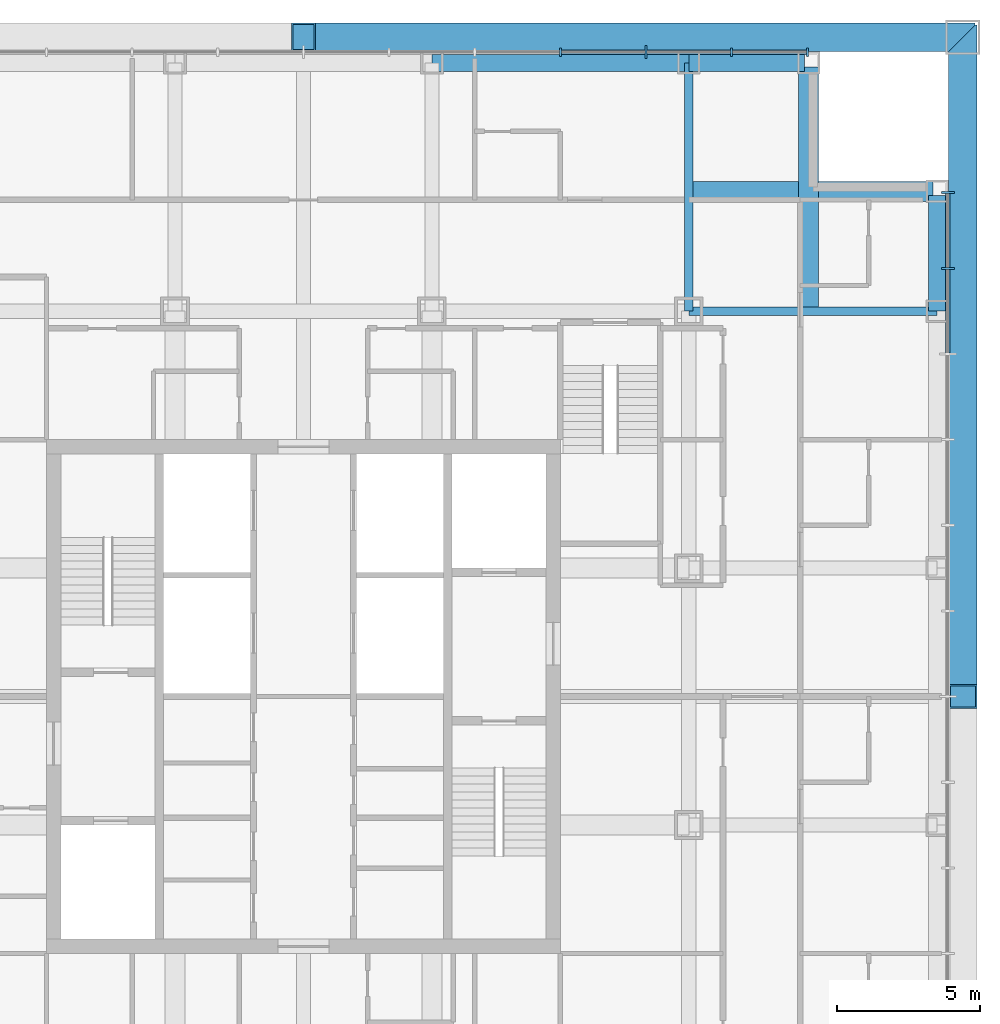
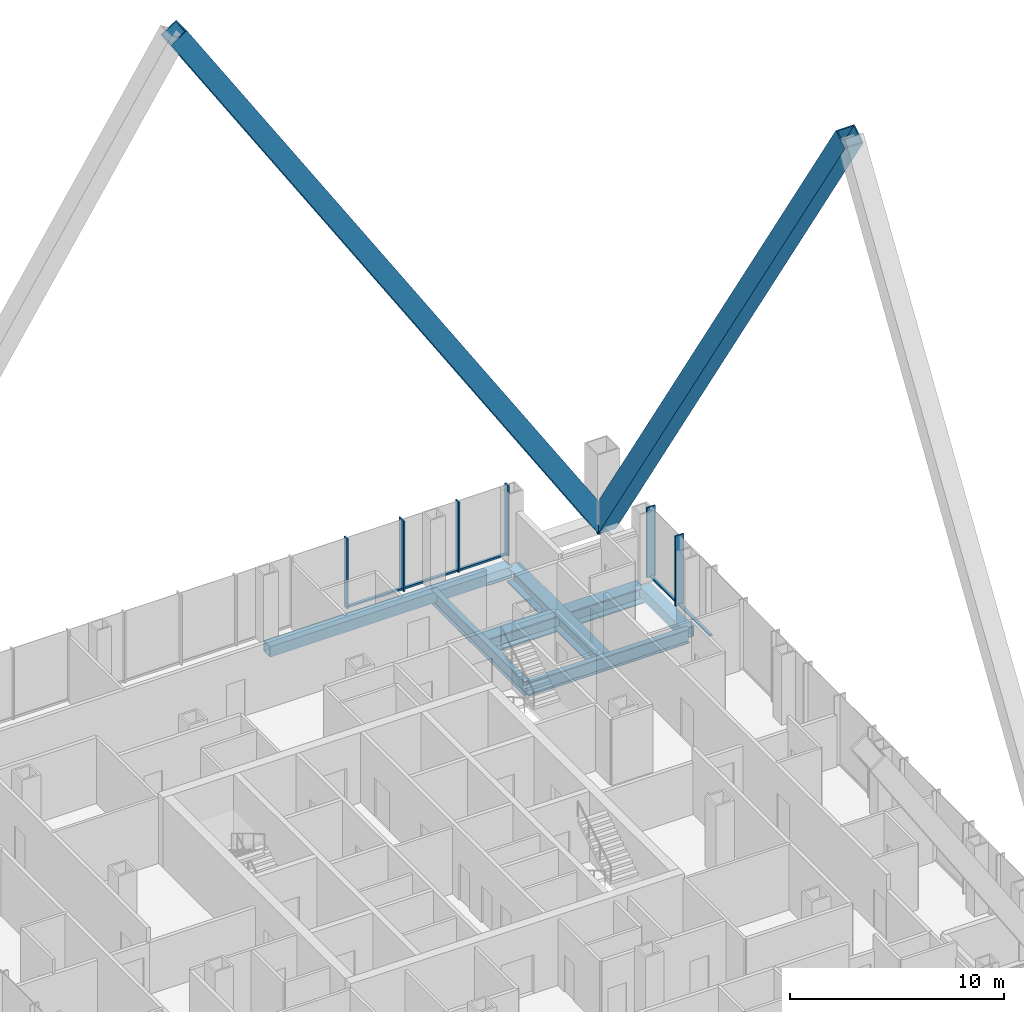
# One storey, part 9 of 16: 13 members, 7 beams, 2 elements without a shape of their own.
"""IFC4 building model written with IfcOpenShell, lengths in metres."""

from ifc_helpers import new_model, si_unit, direction, frame, origin, origin_2d, place, context, subcontext, project, spatial, rectangle, hollow_rectangle, i_section, extrude, material, layer, layer_set, material_profile, profile_set, type_object, element, aggregate, save


model = new_model("IFC4")

# Units and contexts
model_context = context("Model", 3, precision=1e-05, world=origin(), true_north=direction((0.0, 1.0)))
body_context = subcontext(model_context, "Body", "Model", "MODEL_VIEW")
ifc_project = project(units=[si_unit("LENGTHUNIT", "METRE"), si_unit("AREAUNIT", "SQUARE_METRE"), si_unit("VOLUMEUNIT", "CUBIC_METRE"), si_unit("PLANEANGLEUNIT", "RADIAN"), si_unit("MASSUNIT", "GRAM", prefix="KILO")], contexts=[model_context])

# Site, building, storey
site_placement = place(None, origin())
site = spatial("IfcSite", under=ifc_project, at=site_placement, CompositionType="ELEMENT")
building_placement = place(site_placement, origin())
building = spatial("IfcBuilding", under=site, at=building_placement, Name="Malebo Sky Hospital", CompositionType="ELEMENT")
storey_placement = place(building_placement, frame((0.0, 0.0, 209.0)))
storey = spatial("IfcBuildingStorey", under=building, at=storey_placement, Name="L50", CompositionType="ELEMENT", Elevation=209.0)

# Curtain wall, members
ifc_material_1 = material(Name="Anodised aluminium, natural silver", Category="aluminium")
ifc_layer_1 = layer(ifc_material_1, 0.25)
ifc_layer_set_1 = layer_set([ifc_layer_1], Name="WARD CURTAIN WALL NORTH AND SOUTH")
curtain_wall_type_1 = type_object("IfcCurtainWallType", Name="WARD CURTAIN WALL NORTH AND SOUTH", PredefinedType="NOTDEFINED", material=ifc_layer_set_1)
curtain_wall_1_placement = place(storey_placement, origin())
curtain_wall_1 = element("IfcCurtainWall", 1, at=curtain_wall_1_placement, inside=storey, type_object=curtain_wall_type_1, Name="NS curtain wall N", PredefinedType="NOTDEFINED")
ifc_material_profile_1 = material_profile(ifc_material_1, rectangle(XDim=0.14990234375, YDim=0.10009765625, at=origin_2d()), Name="ALUMINIUM TRANSOM 150x100")
ifc_profile_set_1 = profile_set([ifc_material_profile_1], Name="Anodised aluminium, natural silver")
member_type_1 = type_object("IfcMemberType", Name="ALUMINIUM TRANSOM 150x100", PredefinedType="USERDEFINED", material=ifc_profile_set_1)
member_1_placement = place(storey_placement, frame((69.03759765625, 84.574951171875, 0.050048828125), z_axis=(1.0, 0.0, 0.0), x_axis=(0.0, 1.0, 0.0)))
member_1 = element("IfcMember", 2, at=member_1_placement, type_object=member_type_1, Name="Transom 10", ObjectType="TRANSOM", PredefinedType="USERDEFINED", context=body_context, shape_type="SweptSolid", body=[
    extrude(rectangle(XDim=0.14990234375, YDim=0.10009765625, at=origin_2d()), origin(), (0.0, 0.0, 1.0), 2.9248046875),
])
member_2_placement = place(storey_placement, frame((72.03759765625, 84.574951171875, 0.050048828125), z_axis=(1.0, 0.0, 0.0), x_axis=(0.0, 1.0, 0.0)))
member_2 = element("IfcMember", 3, at=member_2_placement, type_object=member_type_1, Name="Transom 11", ObjectType="TRANSOM", PredefinedType="USERDEFINED", context=body_context, shape_type="SweptSolid", body=[
    extrude(rectangle(XDim=0.14990234375, YDim=0.10009765625, at=origin_2d()), origin(), (0.0, 0.0, 1.0), 2.9248046875),
])
member_3_placement = place(storey_placement, frame((75.03759765625, 84.574951171875, 0.050048828125), z_axis=(1.0, 0.0, 0.0), x_axis=(0.0, 1.0, 0.0)))
member_3 = element("IfcMember", 4, at=member_3_placement, type_object=member_type_1, Name="Transom 12", ObjectType="TRANSOM", PredefinedType="USERDEFINED", context=body_context, shape_type="SweptSolid", body=[
    extrude(rectangle(XDim=0.14990234375, YDim=0.10009765625, at=origin_2d()), origin(), (0.0, 0.0, 1.0), 2.58740234375),
])

ifc_layer_2 = layer(ifc_material_1, 0.25)
ifc_layer_set_2 = layer_set([ifc_layer_2], Name="WARD CURTAIN WALL EAST AND WEST")
curtain_wall_type_2 = type_object("IfcCurtainWallType", Name="WARD CURTAIN WALL EAST AND WEST", PredefinedType="NOTDEFINED", material=ifc_layer_set_2)
curtain_wall_2_placement = place(storey_placement, origin())
curtain_wall_2 = element("IfcCurtainWall", 5, at=curtain_wall_2_placement, inside=storey, type_object=curtain_wall_type_2, Name="EW curtain wall E", PredefinedType="NOTDEFINED")
member_4_placement = place(storey_placement, frame((82.574951171875, 79.625, 0.050048828125), z_axis=(0.0, -1.0, 0.0), x_axis=(1.0, 0.0, 0.0)))
member_4 = element("IfcMember", 6, at=member_4_placement, type_object=member_type_1, Name="Transom 1", ObjectType="TRANSOM", PredefinedType="USERDEFINED", context=body_context, shape_type="SweptSolid", body=[
    extrude(rectangle(XDim=0.14990234375, YDim=0.10009765625, at=origin_2d()), origin(), (0.0, 0.0, 1.0), 2.58740234375),
])
member_5_placement = place(storey_placement, frame((82.574951171875, 76.96240234375, 0.050048828125), z_axis=(0.0, -1.0, 0.0), x_axis=(1.0, 0.0, 0.0)))
member_5 = element("IfcMember", 7, at=member_5_placement, type_object=member_type_1, Name="Transom 2", ObjectType="TRANSOM", PredefinedType="USERDEFINED", context=body_context, shape_type="SweptSolid", body=[
    extrude(rectangle(XDim=0.14990234375, YDim=0.10009765625, at=origin_2d()), origin(), (0.0, 0.0, 1.0), 2.9248046875),
])

# Member
ifc_material_profile_2 = material_profile(ifc_material_1, rectangle(XDim=0.074951171875, YDim=0.300048828125, at=origin_2d()), Name="CW1 ALUMINIUM FIN MULLION 75x300")
ifc_profile_set_2 = profile_set([ifc_material_profile_2], Name="Anodised aluminium, natural silver")
member_type_2 = type_object("IfcMemberType", Name="CW1 ALUMINIUM FIN MULLION 75x300", PredefinedType="MULLION", material=ifc_profile_set_2)
member_6_placement = place(storey_placement, frame((69.0, 84.574951171875, 0.0), z_axis=(0.0, 0.0, 1.0), x_axis=(1.0, 0.0, 0.0)))
member_6 = element("IfcMember", 8, at=member_6_placement, type_object=member_type_2, Name="Fin mullion 10", PredefinedType="MULLION", context=body_context, shape_type="SweptSolid", body=[
    extrude(rectangle(XDim=0.074951171875, YDim=0.300048828125, at=origin_2d()), origin(), (0.0, 0.0, 1.0), 4.0),
])

member_7_placement = place(storey_placement, frame((75.0, 84.574951171875, 0.0), z_axis=(0.0, 0.0, 1.0), x_axis=(1.0, 0.0, 0.0)))
member_7 = element("IfcMember", 9, at=member_7_placement, type_object=member_type_2, Name="Fin mullion 12", PredefinedType="MULLION", context=body_context, shape_type="SweptSolid", body=[
    extrude(rectangle(XDim=0.074951171875, YDim=0.300048828125, at=origin_2d()), origin(), (0.0, 0.0, 1.0), 4.0),
])

member_8_placement = place(storey_placement, frame((77.66259765625, 84.574951171875, 0.0), z_axis=(0.0, 0.0, 1.0), x_axis=(1.0, 0.0, 0.0)))
member_8 = element("IfcMember", 10, at=member_8_placement, type_object=member_type_2, Name="Fin mullion 13", PredefinedType="MULLION", context=body_context, shape_type="SweptSolid", body=[
    extrude(rectangle(XDim=0.074951171875, YDim=0.300048828125, at=origin_2d()), origin(), (0.0, 0.0, 1.0), 4.0),
])

ifc_material_profile_3 = material_profile(ifc_material_1, rectangle(XDim=0.074951171875, YDim=0.449951171875, at=origin_2d()), Name="CW1 ALUMINIUM FIN MULLION 75x450")
ifc_profile_set_3 = profile_set([ifc_material_profile_3], Name="Anodised aluminium, natural silver")
member_type_3 = type_object("IfcMemberType", Name="CW1 ALUMINIUM FIN MULLION 75x450", PredefinedType="MULLION", material=ifc_profile_set_3)
member_9_placement = place(storey_placement, frame((72.0, 84.574951171875, 0.0), z_axis=(0.0, 0.0, 1.0), x_axis=(1.0, 0.0, 0.0)))
member_9 = element("IfcMember", 11, at=member_9_placement, type_object=member_type_3, Name="Fin mullion 11", PredefinedType="MULLION", context=body_context, shape_type="SweptSolid", body=[
    extrude(rectangle(XDim=0.074951171875, YDim=0.449951171875, at=origin_2d()), origin(), (0.0, 0.0, 1.0), 4.0),
])

aggregate(curtain_wall_1, [member_6, member_9, member_7, member_8, member_1, member_2, member_3])

ifc_material_profile_4 = material_profile(ifc_material_1, rectangle(XDim=0.074951171875, YDim=0.449951171875, at=origin_2d()), Name="CW2 ALUMINIUM FIN MULLION 75x450")
ifc_profile_set_4 = profile_set([ifc_material_profile_4], Name="Anodised aluminium, natural silver")
member_type_4 = type_object("IfcMemberType", Name="CW2 ALUMINIUM FIN MULLION 75x450", PredefinedType="MULLION", material=ifc_profile_set_4)
member_10_placement = place(storey_placement, frame((82.574951171875, 79.66259765625, 0.0), z_axis=(0.0, 0.0, 1.0), x_axis=(0.0, -1.0, 0.0)))
member_10 = element("IfcMember", 12, at=member_10_placement, type_object=member_type_4, Name="Fin mullion 1", PredefinedType="MULLION", context=body_context, shape_type="SweptSolid", body=[
    extrude(rectangle(XDim=0.074951171875, YDim=0.449951171875, at=origin_2d()), origin(), (0.0, 0.0, 1.0), 4.0),
])

member_11_placement = place(storey_placement, frame((82.574951171875, 77.0, 0.0), z_axis=(0.0, 0.0, 1.0), x_axis=(0.0, -1.0, 0.0)))
member_11 = element("IfcMember", 13, at=member_11_placement, type_object=member_type_4, Name="Fin mullion 2", PredefinedType="MULLION", context=body_context, shape_type="SweptSolid", body=[
    extrude(rectangle(XDim=0.074951171875, YDim=0.449951171875, at=origin_2d()), origin(), (0.0, 0.0, 1.0), 4.0),
])

aggregate(curtain_wall_2, [member_10, member_11, member_4, member_5])

# Beams
ifc_material_2 = material(Name="Steel S460", Category="steel")
ifc_material_profile_5 = material_profile(ifc_material_2, hollow_rectangle(XDim=0.60009765625, YDim=0.60009765625, WallThickness=0.0400390625, at=origin_2d()), Name="BOX 600x600x40")
ifc_profile_set_5 = profile_set([ifc_material_profile_5], Name="Steel S460")
beam_type_1 = type_object("IfcBeamType", Name="EDGE BEAM BOX 600x600x40", PredefinedType="BEAM", material=ifc_profile_set_5)
beam_1_placement = place(storey_placement, frame((82.199951171875, 75.5, -0.550048828125), z_axis=(0.0, 1.0, 0.0), x_axis=(-1.0, 0.0, 0.0)))
element("IfcBeam", 14, at=beam_1_placement, inside=storey, type_object=beam_type_1, Name="Beam 033 L50", PredefinedType="BEAM", context=body_context, shape_type="SweptSolid", body=[
    extrude(hollow_rectangle(XDim=0.60009765625, YDim=0.60009765625, WallThickness=0.0400390625, at=origin_2d()), origin(), (0.0, 0.0, 1.0), 4.050048828125),
])
beam_2_placement = place(storey_placement, frame((64.5, 84.199951171875, -0.550048828125), z_axis=(1.0, 0.0, 0.0), x_axis=(0.0, 1.0, 0.0)))
element("IfcBeam", 15, at=beam_2_placement, inside=storey, type_object=beam_type_1, Name="Beam 066 L50", PredefinedType="BEAM", context=body_context, shape_type="SweptSolid", body=[
    extrude(hollow_rectangle(XDim=0.60009765625, YDim=0.60009765625, WallThickness=0.0400390625, at=origin_2d()), origin(), (0.0, 0.0, 1.0), 9.0),
])
beam_3_placement = place(storey_placement, frame((73.5, 84.199951171875, -0.550048828125), z_axis=(1.0, 0.0, 0.0), x_axis=(0.0, 1.0, 0.0)))
element("IfcBeam", 16, at=beam_3_placement, inside=storey, type_object=beam_type_1, Name="Beam 067 L50", PredefinedType="BEAM", context=body_context, shape_type="SweptSolid", body=[
    extrude(hollow_rectangle(XDim=0.60009765625, YDim=0.60009765625, WallThickness=0.0400390625, at=origin_2d()), origin(), (0.0, 0.0, 1.0), 4.050048828125),
])
ifc_material_3 = material(Name="Steel S355", Category="steel")
ifc_material_profile_6 = material_profile(ifc_material_3, i_section(OverallWidth=0.699951171875, OverallDepth=0.89990234375, WebThickness=0.0400390625, FlangeThickness=0.070068359375, at=origin_2d()), Name="PG 900x700x40x70")
ifc_profile_set_6 = profile_set([ifc_material_profile_6], Name="Steel S355")
beam_type_2 = type_object("IfcBeamType", Name="FLOOR BEAM PG 900x700x40x70", PredefinedType="BEAM", material=ifc_profile_set_6)
for number, where, z_axis, x_axis, name in (
    (17, (77.699951171875, 75.5, -0.699951171875), (0.0, 1.0, 0.0), (-1.0, 0.0, 0.0), "Beam 028 L50"),
    (18, (73.5, 79.699951171875, -0.699951171875), (1.0, 0.0, 0.0), (0.0, 1.0, 0.0), "Beam 062 L50"),
):
    element("IfcBeam", number, at=place(storey_placement, frame(where, z_axis=z_axis, x_axis=x_axis)), inside=storey, type_object=beam_type_2, Name=name, PredefinedType="BEAM", context=body_context, shape_type="SweptSolid", body=[
        extrude(i_section(OverallWidth=0.699951171875, OverallDepth=0.89990234375, WebThickness=0.0400390625, FlangeThickness=0.070068359375, at=origin_2d()), origin(), (0.0, 0.0, 1.0), 8.550048828125),
    ])
ifc_material_profile_7 = material_profile(ifc_material_3, i_section(OverallWidth=0.300048828125, OverallDepth=0.800048828125, WebThickness=0.017578125, FlangeThickness=0.032958984375, FilletRadius=0.030029296875, at=origin_2d()), Name="HEB 800")
ifc_profile_set_7 = profile_set([ifc_material_profile_7], Name="Steel S355")
beam_type_3 = type_object("IfcBeamType", Name="FLOOR GIRDER HEB 800", PredefinedType="BEAM", material=ifc_profile_set_7)
for number, where, z_axis, x_axis, name in (
    (19, (73.5, 75.5, -0.64990234375), (0.0, 1.0, 0.0), (-1.0, 0.0, 0.0), "Beam 026 L50"),
    (20, (73.5, 75.5, -0.64990234375), (1.0, 0.0, 0.0), (0.0, 1.0, 0.0), "Beam 060 L50"),
):
    element("IfcBeam", number, at=place(storey_placement, frame(where, z_axis=z_axis, x_axis=x_axis)), inside=storey, type_object=beam_type_3, Name=name, PredefinedType="BEAM", context=body_context, shape_type="SweptSolid", body=[
        extrude(i_section(OverallWidth=0.300048828125, OverallDepth=0.800048828125, WebThickness=0.017578125, FlangeThickness=0.032958984375, FilletRadius=0.030029296875, at=origin_2d()), origin(), (0.0, 0.0, 1.0), 8.699951171875),
    ])

# Members
ifc_material_profile_8 = material_profile(ifc_material_2, hollow_rectangle(XDim=1.0, YDim=1.0, WallThickness=0.06005859375, at=origin_2d()), Name="BOX 1000x1000x60")
ifc_profile_set_8 = profile_set([ifc_material_profile_8], Name="Steel S460")
member_type_5 = type_object("IfcMemberType", Name="MEGA BRACE BOX 1000x1000x60", PredefinedType="BRACE", material=ifc_profile_set_8)
for number, where, z_axis, x_axis, name in (
    (21, (83.10009765625, 85.10009765625, -0.39990234375), (-0.540050058877, 0.0, 0.841632897353), (0.0, -1.0, 0.0), "Mega brace C2N1 L50-L59"),
    (22, (83.10009765625, 85.10009765625, -0.39990234375), (0.0, -0.540050058877, 0.841632897353), (1.0, 0.0, 0.0), "Mega brace C2E2 L50-L59"),
):
    element("IfcMember", number, at=place(storey_placement, frame(where, z_axis=z_axis, x_axis=x_axis)), inside=storey, type_object=member_type_5, Name=name, PredefinedType="BRACE", context=body_context, shape_type="SweptSolid", body=[
        extrude(hollow_rectangle(XDim=1.0, YDim=1.0, WallThickness=0.06005859375, at=origin_2d()), origin(), (0.0, 0.0, 1.0), 42.77392578125),
    ])

save(model, "model.ifc")
